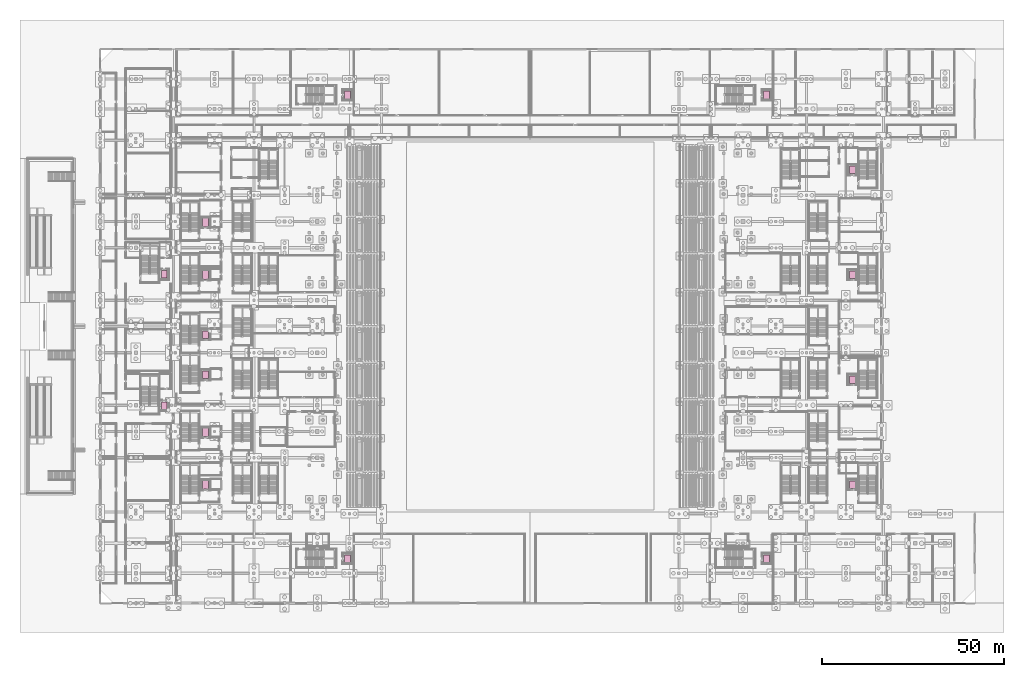
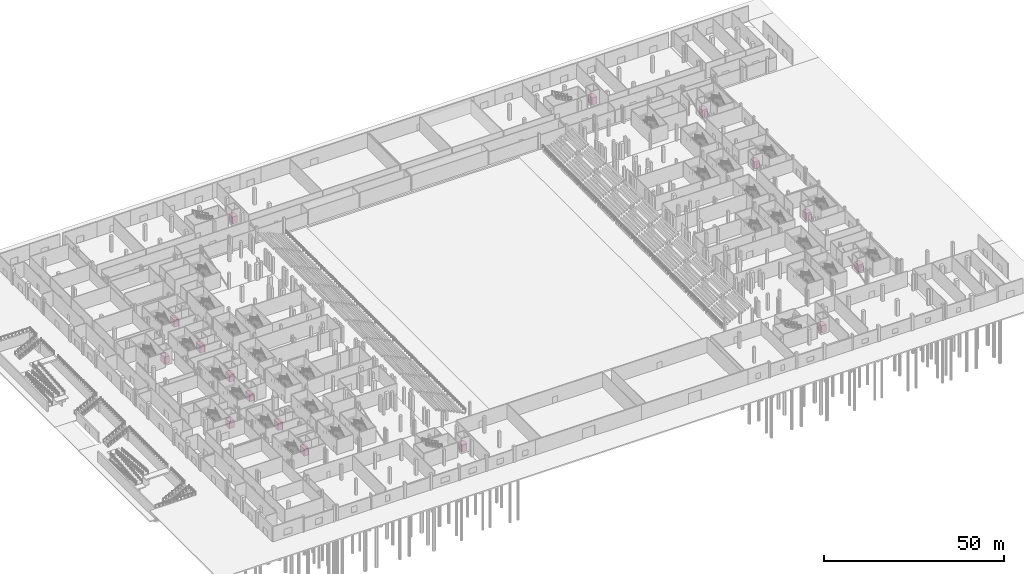
# One storey, part 89 of 89: 16 transport elements.
"""IFC4 building model written with IfcOpenShell, lengths in metres."""

from ifc_helpers import new_model, si_unit, direction, frame, origin, origin_2d, place, context, subcontext, project, spatial, rectangle, extrude, material, type_object, element, save


model = new_model("IFC4")

# Units and contexts
model_context = context("Model", 3, precision=1e-05, world=origin(), true_north=direction((0.0, 1.0)))
body_context = subcontext(model_context, "Body", "Model", "MODEL_VIEW")
ifc_project = project(units=[si_unit("LENGTHUNIT", "METRE"), si_unit("AREAUNIT", "SQUARE_METRE"), si_unit("VOLUMEUNIT", "CUBIC_METRE"), si_unit("PLANEANGLEUNIT", "RADIAN"), si_unit("MASSUNIT", "GRAM", prefix="KILO")], contexts=[model_context])

# Site, building, storey
site_placement = place(None, origin())
site = spatial("IfcSite", under=ifc_project, at=site_placement, CompositionType="ELEMENT")
building_placement = place(site_placement, origin())
building = spatial("IfcBuilding", under=site, at=building_placement, Name="Koshinbarg Plaza Stadium", CompositionType="ELEMENT")
storey_placement = place(building_placement, origin())
storey = spatial("IfcBuildingStorey", under=building, at=storey_placement, Name="L00", CompositionType="ELEMENT", Elevation=0.0)

# Transport elements
ifc_material_1 = material(Name="Brushed stainless steel firefighting lift car", Category="steel")
transport_element_type_1 = type_object("IfcTransportElementType", Name="LFT-FF-1600x2400", PredefinedType="ELEVATOR", material=ifc_material_1)
for number, where, z_axis, x_axis, name in (
    (1, (32.89990234375, 32.449951171875, 0.0), (0.0, 0.0, 1.0), (1.0, 0.0, 0.0), "Firefighting stretcher lift FL01"),
    (2, (32.89990234375, 46.85009765625, 0.0), (0.0, 0.0, 1.0), (1.0, 0.0, 0.0), "Firefighting stretcher lift FL02"),
    (3, (32.89990234375, 90.050048828125, 0.0), (0.0, 0.0, 1.0), (1.0, 0.0, 0.0), "Firefighting stretcher lift FL03"),
    (4, (32.89990234375, 104.449951171875, 0.0), (0.0, 0.0, 1.0), (1.0, 0.0, 0.0), "Firefighting stretcher lift FL04"),
):
    element("IfcTransportElement", number, at=place(storey_placement, frame(where, z_axis=z_axis, x_axis=x_axis)), inside=storey, type_object=transport_element_type_1, Name=name, PredefinedType="ELEVATOR", context=body_context, shape_type="SweptSolid", body=[
        extrude(rectangle(XDim=1.60009765625, YDim=2.39990234375, at=origin_2d()), origin(), (0.0, 0.0, 1.0), 2.39990234375),
    ])
ifc_material_2 = material(Name="Brushed stainless steel passenger lift car", Category="steel")
transport_element_type_2 = type_object("IfcTransportElementType", Name="LFT-PAX-1600x2100", PredefinedType="ELEVATOR", material=ifc_material_2)
for number, where, z_axis, x_axis, name in (
    (5, (32.89990234375, 62.64990234375, 0.0), (0.0, 0.0, 1.0), (1.0, 0.0, 0.0), "Passenger lift LP01"),
    (6, (32.89990234375, 73.64990234375, 0.0), (0.0, 0.0, 1.0), (1.0, 0.0, 0.0), "Passenger lift LP02"),
    (7, (210.39990234375, 32.5, 0.0), (0.0, 0.0, 1.0), (1.0, 0.0, 0.0), "Passenger lift LP03"),
    (8, (210.39990234375, 61.300048828125, 0.0), (0.0, 0.0, 1.0), (1.0, 0.0, 0.0), "Passenger lift LP04"),
    (9, (210.39990234375, 90.10009765625, 0.0), (0.0, 0.0, 1.0), (1.0, 0.0, 0.0), "Passenger lift LP05"),
    (10, (210.39990234375, 118.89990234375, 0.0), (0.0, 0.0, 1.0), (1.0, 0.0, 0.0), "Passenger lift LP06"),
    (11, (71.85009765625, 139.39990234375, 0.0), (0.0, 0.0, 1.0), (1.0, 0.0, 0.0), "Passenger lift LP07"),
    (12, (186.85009765625, 139.39990234375, 0.0), (0.0, 0.0, 1.0), (1.0, 0.0, 0.0), "Passenger lift LP08"),
    (13, (71.85009765625, 12.199951171875, 0.0), (0.0, 0.0, 1.0), (1.0, 0.0, 0.0), "Passenger lift LP09"),
    (14, (186.85009765625, 12.199951171875, 0.0), (0.0, 0.0, 1.0), (1.0, 0.0, 0.0), "Passenger lift LP10"),
    (15, (21.60009765625, 90.199951171875, 0.0), (0.0, 0.0, 1.0), (1.0, 0.0, 0.0), "Passenger lift LP11"),
    (16, (21.60009765625, 54.199951171875, 0.0), (0.0, 0.0, 1.0), (1.0, 0.0, 0.0), "Passenger lift LP12"),
):
    element("IfcTransportElement", number, at=place(storey_placement, frame(where, z_axis=z_axis, x_axis=x_axis)), inside=storey, type_object=transport_element_type_2, Name=name, PredefinedType="ELEVATOR", context=body_context, shape_type="SweptSolid", body=[
        extrude(rectangle(XDim=1.60009765625, YDim=2.10009765625, at=origin_2d()), origin(), (0.0, 0.0, 1.0), 2.39990234375),
    ])

save(model, "model.ifc")
